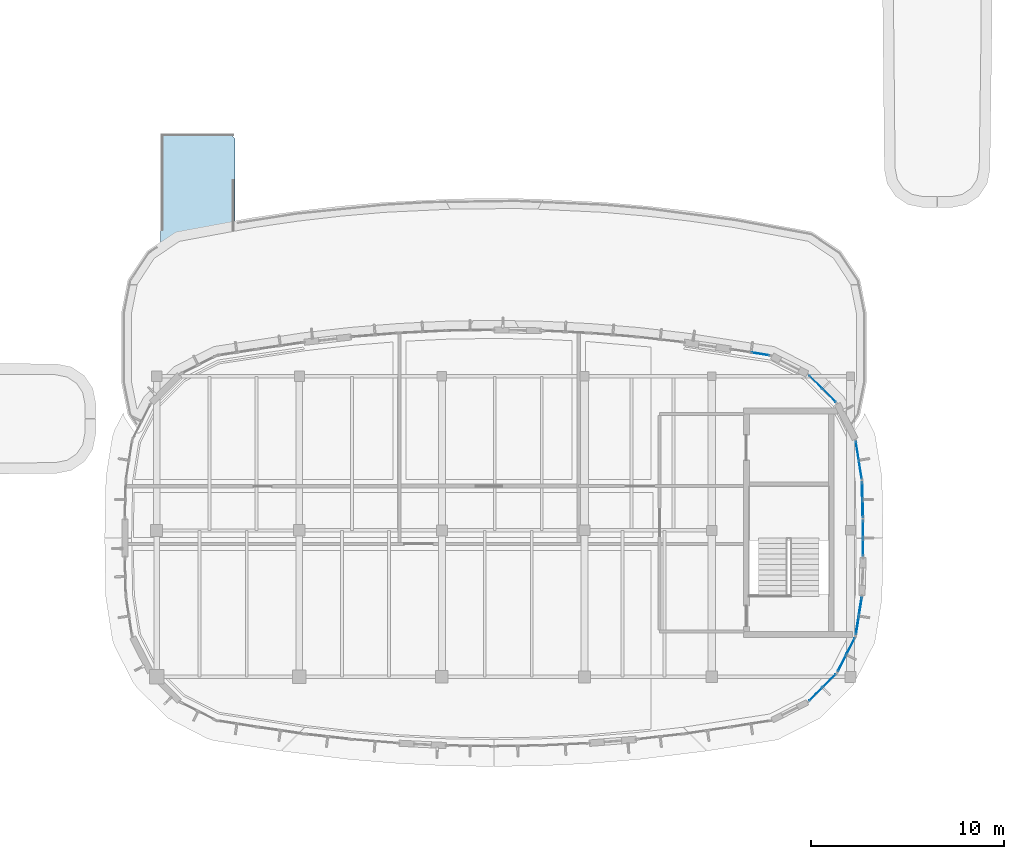
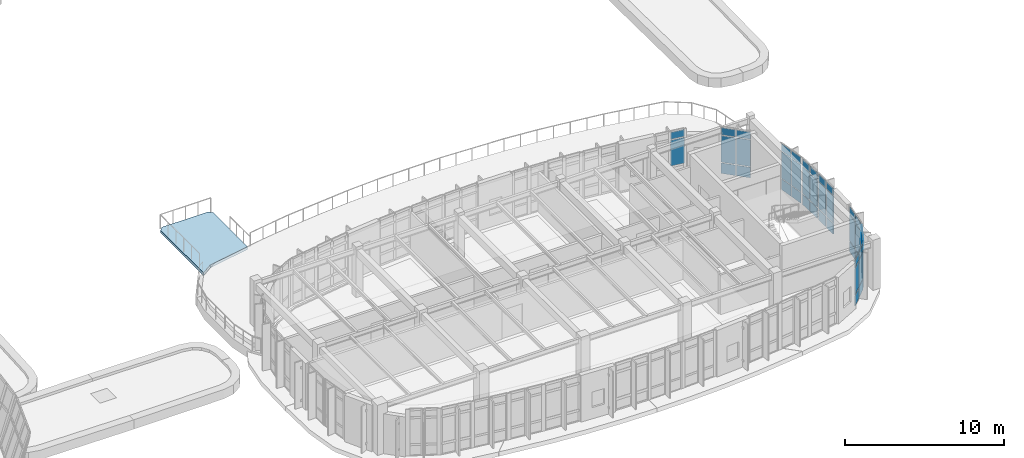
# One storey, part 69 of 111: 44 plates, 1 slab, 8 elements without a shape of their own.
"""IFC4 building model written with IfcOpenShell, lengths in metres."""

from ifc_helpers import new_model, si_unit, direction, frame, origin, origin_2d, place, context, subcontext, project, spatial, polyline, rectangle, outline, extrude, material, layer, layer_set, type_object, element, aggregate, save


model = new_model("IFC4")

# Units and contexts
model_context = context("Model", 3, precision=1e-05, world=origin(), true_north=direction((0.0, 1.0)))
body_context = subcontext(model_context, "Body", "Model", "MODEL_VIEW")
ifc_project = project(units=[si_unit("LENGTHUNIT", "METRE"), si_unit("AREAUNIT", "SQUARE_METRE"), si_unit("VOLUMEUNIT", "CUBIC_METRE"), si_unit("PLANEANGLEUNIT", "RADIAN"), si_unit("MASSUNIT", "GRAM", prefix="KILO")], contexts=[model_context])

# Site, building, storey
site_placement = place(None, origin())
site = spatial("IfcSite", under=ifc_project, at=site_placement, CompositionType="ELEMENT")
building_placement = place(site_placement, origin())
building = spatial("IfcBuilding", under=site, at=building_placement, Name="Corveleigh Park Community Centre", CompositionType="ELEMENT")
storey_placement = place(building_placement, frame((0.0, 0.0, 4.800048828125)))
storey = spatial("IfcBuildingStorey", under=building, at=storey_placement, Name="L01", CompositionType="ELEMENT", Elevation=4.800048828125)

# Curtain wall, plates
ifc_material_1 = material(Name="Anodised aluminium 6063-T6", Category="aluminium")
curtain_wall_type = type_object("IfcCurtainWallType", Name="CW-SYS-V3-UPP", PredefinedType="NOTDEFINED", material=ifc_material_1)
curtain_wall_1_placement = place(storey_placement, origin())
curtain_wall_1 = element("IfcCurtainWall", 1, at=curtain_wall_1_placement, inside=storey, type_object=curtain_wall_type, Name="V3 L01 Curtain Wall 241", PredefinedType="NOTDEFINED")
ifc_material_2 = material(Name="Low-E double glazing", Category="glass")
ifc_layer_1 = layer(ifc_material_2, 0.02392578125, Name="Low-E double glazing", Category="glass")
ifc_layer_set_1 = layer_set([ifc_layer_1], Name="Low-E double glazing")
plate_type_1 = type_object("IfcPlateType", Name="CWP-GLZ-24", PredefinedType="CURTAIN_PANEL", material=ifc_layer_set_1)
plate_1_placement = place(storey_placement, frame((108.3564453125, 22.937255859375, 0.059814453125), z_axis=(0.0, 0.0, 1.0), x_axis=(0.156558061275, -0.987668756947, 0.0)))
plate_1 = element("IfcPlate", 2, at=plate_1_placement, type_object=plate_type_1, Name="CW06 panel 1.1", PredefinedType="CURTAIN_PANEL", context=body_context, shape_type="SweptSolid", body=[
    extrude(rectangle(XDim=0.94482421875, YDim=0.02392578125, at=origin_2d()), origin(), (0.0, 0.0, 1.0), 0.81005859375),
])
plate_2_placement = place(storey_placement, frame((108.3564453125, 22.937255859375, 0.9296875), z_axis=(0.0, 0.0, 1.0), x_axis=(0.156558061275, -0.987668756947, 0.0)))
plate_2 = element("IfcPlate", 3, at=plate_2_placement, type_object=plate_type_1, Name="CW06 panel 1.2", PredefinedType="CURTAIN_PANEL", context=body_context, shape_type="SweptSolid", body=[
    extrude(rectangle(XDim=0.94482421875, YDim=0.02392578125, at=origin_2d()), origin(), (0.0, 0.0, 1.0), 2.047119140625),
])
plate_3_placement = place(storey_placement, frame((108.3564453125, 22.937255859375, 3.036865234375), z_axis=(0.0, 0.0, 1.0), x_axis=(0.156558061275, -0.987668756947, 0.0)))
plate_3 = element("IfcPlate", 4, at=plate_3_placement, type_object=plate_type_1, Name="CW06 panel 1.3", PredefinedType="CURTAIN_PANEL", context=body_context, shape_type="SweptSolid", body=[
    extrude(rectangle(XDim=0.94482421875, YDim=0.02392578125, at=origin_2d()), origin(), (0.0, 0.0, 1.0), 0.56005859375),
])
plate_4_placement = place(storey_placement, frame((108.513671875, 21.94482421875, 0.059814453125), z_axis=(0.0, 0.0, 1.0), x_axis=(0.156558061275, -0.987668756947, 0.0)))
plate_4 = element("IfcPlate", 5, at=plate_4_placement, type_object=plate_type_1, Name="CW06 panel 2.1", PredefinedType="CURTAIN_PANEL", context=body_context, shape_type="SweptSolid", body=[
    extrude(rectangle(XDim=0.94482421875, YDim=0.02392578125, at=origin_2d()), origin(), (0.0, 0.0, 1.0), 0.81005859375),
])
plate_5_placement = place(storey_placement, frame((108.513671875, 21.94482421875, 0.9296875), z_axis=(0.0, 0.0, 1.0), x_axis=(0.156558061275, -0.987668756947, 0.0)))
plate_5 = element("IfcPlate", 6, at=plate_5_placement, type_object=plate_type_1, Name="CW06 panel 2.2", PredefinedType="CURTAIN_PANEL", context=body_context, shape_type="SweptSolid", body=[
    extrude(rectangle(XDim=0.94482421875, YDim=0.02392578125, at=origin_2d()), origin(), (0.0, 0.0, 1.0), 2.047119140625),
])
plate_6_placement = place(storey_placement, frame((108.513671875, 21.94482421875, 3.036865234375), z_axis=(0.0, 0.0, 1.0), x_axis=(0.156558061275, -0.987668756947, 0.0)))
plate_6 = element("IfcPlate", 7, at=plate_6_placement, type_object=plate_type_1, Name="CW06 panel 2.3", PredefinedType="CURTAIN_PANEL", context=body_context, shape_type="SweptSolid", body=[
    extrude(rectangle(XDim=0.94482421875, YDim=0.02392578125, at=origin_2d()), origin(), (0.0, 0.0, 1.0), 0.56005859375),
])
aggregate(curtain_wall_1, [plate_1, plate_2, plate_3, plate_4, plate_5, plate_6])

curtain_wall_2_placement = place(storey_placement, origin())
curtain_wall_2 = element("IfcCurtainWall", 8, at=curtain_wall_2_placement, inside=storey, type_object=curtain_wall_type, Name="V3 L01 Curtain Wall 242", PredefinedType="NOTDEFINED")
plate_7_placement = place(storey_placement, frame((106.197998046875, 26.5, 0.06494140625), z_axis=(0.0, 0.0, 1.0), x_axis=(0.707106781187, -0.707106781187, 0.0)))
plate_7 = element("IfcPlate", 9, at=plate_7_placement, type_object=plate_type_1, Name="CW06 panel 1.1", PredefinedType="CURTAIN_PANEL", context=body_context, shape_type="SweptSolid", body=[
    extrude(rectangle(XDim=0.927734375, YDim=0.02392578125, at=origin_2d()), origin(), (0.0, 0.0, 1.0), 0.802490234375),
])
plate_8_placement = place(storey_placement, frame((106.197998046875, 26.5, 0.932373046875), z_axis=(0.0, 0.0, 1.0), x_axis=(0.707106781187, -0.707106781187, 0.0)))
plate_8 = element("IfcPlate", 10, at=plate_8_placement, type_object=plate_type_1, Name="CW06 panel 1.2", PredefinedType="CURTAIN_PANEL", context=body_context, shape_type="SweptSolid", body=[
    extrude(rectangle(XDim=0.927734375, YDim=0.02392578125, at=origin_2d()), origin(), (0.0, 0.0, 1.0), 2.0419921875),
])
plate_9_placement = place(storey_placement, frame((106.197998046875, 26.5, 3.03955078125), z_axis=(0.0, 0.0, 1.0), x_axis=(0.707106781187, -0.707106781187, 0.0)))
plate_9 = element("IfcPlate", 11, at=plate_9_placement, type_object=plate_type_1, Name="CW06 panel 1.3", PredefinedType="CURTAIN_PANEL", context=body_context, shape_type="SweptSolid", body=[
    extrude(rectangle(XDim=0.927734375, YDim=0.02392578125, at=origin_2d()), origin(), (0.0, 0.0, 1.0), 0.552490234375),
])
plate_10_placement = place(storey_placement, frame((106.89990234375, 25.798095703125, 0.06494140625), z_axis=(0.0, 0.0, 1.0), x_axis=(0.707106781187, -0.707106781187, 0.0)))
plate_10 = element("IfcPlate", 12, at=plate_10_placement, type_object=plate_type_1, Name="CW06 panel 2.1", PredefinedType="CURTAIN_PANEL", context=body_context, shape_type="SweptSolid", body=[
    extrude(rectangle(XDim=0.927734375, YDim=0.02392578125, at=origin_2d()), origin(), (0.0, 0.0, 1.0), 0.802490234375),
])
plate_11_placement = place(storey_placement, frame((106.89990234375, 25.798095703125, 0.932373046875), z_axis=(0.0, 0.0, 1.0), x_axis=(0.707106781187, -0.707106781187, 0.0)))
plate_11 = element("IfcPlate", 13, at=plate_11_placement, type_object=plate_type_1, Name="CW06 panel 2.2", PredefinedType="CURTAIN_PANEL", context=body_context, shape_type="SweptSolid", body=[
    extrude(rectangle(XDim=0.927734375, YDim=0.02392578125, at=origin_2d()), origin(), (0.0, 0.0, 1.0), 2.0419921875),
])
plate_12_placement = place(storey_placement, frame((106.89990234375, 25.798095703125, 3.03955078125), z_axis=(0.0, 0.0, 1.0), x_axis=(0.707106781187, -0.707106781187, 0.0)))
plate_12 = element("IfcPlate", 14, at=plate_12_placement, type_object=plate_type_1, Name="CW06 panel 2.3", PredefinedType="CURTAIN_PANEL", context=body_context, shape_type="SweptSolid", body=[
    extrude(rectangle(XDim=0.927734375, YDim=0.02392578125, at=origin_2d()), origin(), (0.0, 0.0, 1.0), 0.552490234375),
])
aggregate(curtain_wall_2, [plate_7, plate_8, plate_9, plate_10, plate_11, plate_12])

curtain_wall_3_placement = place(storey_placement, origin())
curtain_wall_3 = element("IfcCurtainWall", 15, at=curtain_wall_3_placement, inside=storey, type_object=curtain_wall_type, Name="V3 L01 Curtain Wall 243", PredefinedType="NOTDEFINED")
ifc_layer_2 = layer(ifc_material_2, 0.028076171875, Name="Low-E double glazing", Category="glass")
ifc_layer_set_2 = layer_set([ifc_layer_2], Name="Low-E double glazing")
plate_type_2 = type_object("IfcPlateType", Name="CWP-GLZ-28", PredefinedType="CURTAIN_PANEL", material=ifc_layer_set_2)
plate_13_placement = place(storey_placement, frame((103.331787109375, 27.957275390625, 0.93505859375), z_axis=(0.0, 0.0, 1.0), x_axis=(0.987661487783, -0.156603912946, 0.0)))
plate_13 = element("IfcPlate", 16, at=plate_13_placement, type_object=plate_type_2, Name="CW06 panel 2.2", PredefinedType="CURTAIN_PANEL", context=body_context, shape_type="SweptSolid", body=[
    extrude(rectangle(XDim=0.935791015625, YDim=0.028076171875, at=origin_2d()), origin(), (0.0, 0.0, 1.0), 1.991943359375),
])
plate_14_placement = place(storey_placement, frame((103.331787109375, 27.957275390625, 2.9970703125), z_axis=(0.0, 0.0, 1.0), x_axis=(0.987661487783, -0.156603912946, 0.0)))
plate_14 = element("IfcPlate", 17, at=plate_14_placement, type_object=plate_type_2, Name="CW06 panel 2.3", PredefinedType="CURTAIN_PANEL", context=body_context, shape_type="SweptSolid", body=[
    extrude(rectangle(XDim=0.935791015625, YDim=0.028076171875, at=origin_2d()), origin(), (0.0, 0.0, 1.0), 0.544921875),
])
aggregate(curtain_wall_3, [plate_13, plate_14])

curtain_wall_4_placement = place(storey_placement, origin())
curtain_wall_4 = element("IfcCurtainWall", 18, at=curtain_wall_4_placement, inside=storey, type_object=curtain_wall_type, Name="V3 L01 Curtain Wall 236", PredefinedType="NOTDEFINED")
ifc_layer_3 = layer(ifc_material_2, 0.035888671875, Name="Low-E double glazing", Category="glass")
ifc_layer_set_3 = layer_set([ifc_layer_3], Name="Low-E double glazing")
plate_type_3 = type_object("IfcPlateType", Name="CWP-GLZ-36", PredefinedType="CURTAIN_PANEL", material=ifc_layer_set_3)
plate_15_placement = place(storey_placement, frame((106.89990234375, 11.001953125, 0.059814453125), z_axis=(0.0, 0.0, 1.0), x_axis=(-0.707106781187, -0.707106781187, 0.0)))
plate_15 = element("IfcPlate", 19, at=plate_15_placement, type_object=plate_type_3, Name="CW06 panel 1.1", PredefinedType="CURTAIN_PANEL", context=body_context, shape_type="SweptSolid", body=[
    extrude(rectangle(XDim=0.927734375, YDim=0.035888671875, at=origin_2d()), origin(), (0.0, 0.0, 1.0), 0.81005859375),
])
plate_16_placement = place(storey_placement, frame((106.89990234375, 11.001953125, 0.93017578125), z_axis=(0.0, 0.0, 1.0), x_axis=(-0.707106781187, -0.707106781187, 0.0)))
plate_16 = element("IfcPlate", 20, at=plate_16_placement, type_object=plate_type_3, Name="CW06 panel 1.2", PredefinedType="CURTAIN_PANEL", context=body_context, shape_type="SweptSolid", body=[
    extrude(rectangle(XDim=0.927734375, YDim=0.035888671875, at=origin_2d()), origin(), (0.0, 0.0, 1.0), 2.010009765625),
])
plate_17_placement = place(storey_placement, frame((106.89990234375, 11.001953125, 3.0), z_axis=(0.0, 0.0, 1.0), x_axis=(-0.707106781187, -0.707106781187, 0.0)))
plate_17 = element("IfcPlate", 21, at=plate_17_placement, type_object=plate_type_3, Name="CW06 panel 1.3", PredefinedType="CURTAIN_PANEL", context=body_context, shape_type="SweptSolid", body=[
    extrude(rectangle(XDim=0.927734375, YDim=0.035888671875, at=origin_2d()), origin(), (0.0, 0.0, 1.0), 0.56005859375),
])
plate_18_placement = place(storey_placement, frame((106.197998046875, 10.300048828125, 0.059814453125), z_axis=(0.0, 0.0, 1.0), x_axis=(-0.707106781187, -0.707106781187, 0.0)))
plate_18 = element("IfcPlate", 22, at=plate_18_placement, type_object=plate_type_3, Name="CW06 panel 2.1", PredefinedType="CURTAIN_PANEL", context=body_context, shape_type="SweptSolid", body=[
    extrude(rectangle(XDim=0.927734375, YDim=0.035888671875, at=origin_2d()), origin(), (0.0, 0.0, 1.0), 0.81005859375),
])
plate_19_placement = place(storey_placement, frame((106.197998046875, 10.300048828125, 0.93017578125), z_axis=(0.0, 0.0, 1.0), x_axis=(-0.707106781187, -0.707106781187, 0.0)))
plate_19 = element("IfcPlate", 23, at=plate_19_placement, type_object=plate_type_3, Name="CW06 panel 2.2", PredefinedType="CURTAIN_PANEL", context=body_context, shape_type="SweptSolid", body=[
    extrude(rectangle(XDim=0.927734375, YDim=0.035888671875, at=origin_2d()), origin(), (0.0, 0.0, 1.0), 2.010009765625),
])
plate_20_placement = place(storey_placement, frame((106.197998046875, 10.300048828125, 3.0), z_axis=(0.0, 0.0, 1.0), x_axis=(-0.707106781187, -0.707106781187, 0.0)))
plate_20 = element("IfcPlate", 24, at=plate_20_placement, type_object=plate_type_3, Name="CW06 panel 2.3", PredefinedType="CURTAIN_PANEL", context=body_context, shape_type="SweptSolid", body=[
    extrude(rectangle(XDim=0.927734375, YDim=0.035888671875, at=origin_2d()), origin(), (0.0, 0.0, 1.0), 0.56005859375),
])
aggregate(curtain_wall_4, [plate_15, plate_16, plate_17, plate_18, plate_19, plate_20])

curtain_wall_5_placement = place(storey_placement, origin())
curtain_wall_5 = element("IfcCurtainWall", 25, at=curtain_wall_5_placement, inside=storey, type_object=curtain_wall_type, Name="V3 L01 Curtain Wall 237", PredefinedType="NOTDEFINED")
ifc_layer_4 = layer(ifc_material_2, 0.0400390625, Name="Low-E double glazing", Category="glass")
ifc_layer_set_4 = layer_set([ifc_layer_4], Name="Low-E double glazing")
plate_type_4 = type_object("IfcPlateType", Name="CWP-GLZ-40", PredefinedType="CURTAIN_PANEL", material=ifc_layer_set_4)
plate_21_placement = place(storey_placement, frame((108.009033203125, 12.79248046875, 0.06494140625), z_axis=(0.0, 0.0, 1.0), x_axis=(-0.454217786228, -0.890890679418, 0.0)))
plate_21 = element("IfcPlate", 26, at=plate_21_placement, type_object=plate_type_4, Name="CW06 panel 1.1", PredefinedType="CURTAIN_PANEL", context=body_context, shape_type="SweptSolid", body=[
    extrude(rectangle(XDim=0.9208984375, YDim=0.0400390625, at=origin_2d()), origin(), (0.0, 0.0, 1.0), 0.802490234375),
])
plate_22_placement = place(storey_placement, frame((108.009033203125, 12.79248046875, 0.9326171875), z_axis=(0.0, 0.0, 1.0), x_axis=(-0.454217786228, -0.890890679418, 0.0)))
plate_22 = element("IfcPlate", 27, at=plate_22_placement, type_object=plate_type_4, Name="CW06 panel 1.2", PredefinedType="CURTAIN_PANEL", context=body_context, shape_type="SweptSolid", body=[
    extrude(rectangle(XDim=0.9208984375, YDim=0.0400390625, at=origin_2d()), origin(), (0.0, 0.0, 1.0), 2.0048828125),
])
plate_23_placement = place(storey_placement, frame((108.009033203125, 12.79248046875, 3.00244140625), z_axis=(0.0, 0.0, 1.0), x_axis=(-0.454217786228, -0.890890679418, 0.0)))
plate_23 = element("IfcPlate", 28, at=plate_23_placement, type_object=plate_type_4, Name="CW06 panel 1.3", PredefinedType="CURTAIN_PANEL", context=body_context, shape_type="SweptSolid", body=[
    extrude(rectangle(XDim=0.9208984375, YDim=0.0400390625, at=origin_2d()), origin(), (0.0, 0.0, 1.0), 0.552490234375),
])
plate_24_placement = place(storey_placement, frame((107.558837890625, 11.90966796875, 0.06494140625), z_axis=(0.0, 0.0, 1.0), x_axis=(-0.454217786228, -0.890890679418, 0.0)))
plate_24 = element("IfcPlate", 29, at=plate_24_placement, type_object=plate_type_4, Name="CW06 panel 2.1", PredefinedType="CURTAIN_PANEL", context=body_context, shape_type="SweptSolid", body=[
    extrude(rectangle(XDim=0.9208984375, YDim=0.0400390625, at=origin_2d()), origin(), (0.0, 0.0, 1.0), 0.802490234375),
])
plate_25_placement = place(storey_placement, frame((107.558837890625, 11.90966796875, 0.9326171875), z_axis=(0.0, 0.0, 1.0), x_axis=(-0.454217786228, -0.890890679418, 0.0)))
plate_25 = element("IfcPlate", 30, at=plate_25_placement, type_object=plate_type_4, Name="CW06 panel 2.2", PredefinedType="CURTAIN_PANEL", context=body_context, shape_type="SweptSolid", body=[
    extrude(rectangle(XDim=0.9208984375, YDim=0.0400390625, at=origin_2d()), origin(), (0.0, 0.0, 1.0), 2.0048828125),
])
plate_26_placement = place(storey_placement, frame((107.558837890625, 11.90966796875, 3.00244140625), z_axis=(0.0, 0.0, 1.0), x_axis=(-0.454217786228, -0.890890679418, 0.0)))
plate_26 = element("IfcPlate", 31, at=plate_26_placement, type_object=plate_type_4, Name="CW06 panel 2.3", PredefinedType="CURTAIN_PANEL", context=body_context, shape_type="SweptSolid", body=[
    extrude(rectangle(XDim=0.9208984375, YDim=0.0400390625, at=origin_2d()), origin(), (0.0, 0.0, 1.0), 0.552490234375),
])
aggregate(curtain_wall_5, [plate_21, plate_22, plate_23, plate_24, plate_25, plate_26])

curtain_wall_6_placement = place(storey_placement, origin())
curtain_wall_6 = element("IfcCurtainWall", 32, at=curtain_wall_6_placement, inside=storey, type_object=curtain_wall_type, Name="V3 L01 Curtain Wall 238", PredefinedType="NOTDEFINED")
plate_27_placement = place(storey_placement, frame((108.51318359375, 14.8515625, 0.070068359375), z_axis=(0.0, 0.0, 1.0), x_axis=(-0.156558061275, -0.987668756947, 0.0)))
plate_27 = element("IfcPlate", 33, at=plate_27_placement, type_object=plate_type_4, Name="CW06 panel 1.1", PredefinedType="CURTAIN_PANEL", context=body_context, shape_type="SweptSolid", body=[
    extrude(rectangle(XDim=0.92236328125, YDim=0.0400390625, at=origin_2d()), origin(), (0.0, 0.0, 1.0), 0.794921875),
])
plate_28_placement = place(storey_placement, frame((108.51318359375, 14.8515625, 0.93505859375), z_axis=(0.0, 0.0, 1.0), x_axis=(-0.156558061275, -0.987668756947, 0.0)))
plate_28 = element("IfcPlate", 34, at=plate_28_placement, type_object=plate_type_4, Name="CW06 panel 1.2", PredefinedType="CURTAIN_PANEL", context=body_context, shape_type="SweptSolid", body=[
    extrude(rectangle(XDim=0.92236328125, YDim=0.0400390625, at=origin_2d()), origin(), (0.0, 0.0, 1.0), 2.0),
])
plate_29_placement = place(storey_placement, frame((108.51318359375, 14.8515625, 3.0048828125), z_axis=(0.0, 0.0, 1.0), x_axis=(-0.156558061275, -0.987668756947, 0.0)))
plate_29 = element("IfcPlate", 35, at=plate_29_placement, type_object=plate_type_4, Name="CW06 panel 1.3", PredefinedType="CURTAIN_PANEL", context=body_context, shape_type="SweptSolid", body=[
    extrude(rectangle(XDim=0.92236328125, YDim=0.0400390625, at=origin_2d()), origin(), (0.0, 0.0, 1.0), 0.544921875),
])
plate_30_placement = place(storey_placement, frame((108.35693359375, 13.866455078125, 0.070068359375), z_axis=(0.0, 0.0, 1.0), x_axis=(-0.156558061275, -0.987668756947, 0.0)))
plate_30 = element("IfcPlate", 36, at=plate_30_placement, type_object=plate_type_4, Name="CW06 panel 2.1", PredefinedType="CURTAIN_PANEL", context=body_context, shape_type="SweptSolid", body=[
    extrude(rectangle(XDim=0.92236328125, YDim=0.0400390625, at=origin_2d()), origin(), (0.0, 0.0, 1.0), 0.794921875),
])
plate_31_placement = place(storey_placement, frame((108.35693359375, 13.866455078125, 0.93505859375), z_axis=(0.0, 0.0, 1.0), x_axis=(-0.156558061275, -0.987668756947, 0.0)))
plate_31 = element("IfcPlate", 37, at=plate_31_placement, type_object=plate_type_4, Name="CW06 panel 2.2", PredefinedType="CURTAIN_PANEL", context=body_context, shape_type="SweptSolid", body=[
    extrude(rectangle(XDim=0.92236328125, YDim=0.0400390625, at=origin_2d()), origin(), (0.0, 0.0, 1.0), 2.0),
])
plate_32_placement = place(storey_placement, frame((108.35693359375, 13.866455078125, 3.0048828125), z_axis=(0.0, 0.0, 1.0), x_axis=(-0.156558061275, -0.987668756947, 0.0)))
plate_32 = element("IfcPlate", 38, at=plate_32_placement, type_object=plate_type_4, Name="CW06 panel 2.3", PredefinedType="CURTAIN_PANEL", context=body_context, shape_type="SweptSolid", body=[
    extrude(rectangle(XDim=0.92236328125, YDim=0.0400390625, at=origin_2d()), origin(), (0.0, 0.0, 1.0), 0.544921875),
])
aggregate(curtain_wall_6, [plate_27, plate_28, plate_29, plate_30, plate_31, plate_32])

curtain_wall_7_placement = place(storey_placement, origin())
curtain_wall_7 = element("IfcCurtainWall", 39, at=curtain_wall_7_placement, inside=storey, type_object=curtain_wall_type, Name="V3 L01 Curtain Wall 239", PredefinedType="NOTDEFINED")
ifc_layer_5 = layer(ifc_material_2, 0.0439453125, Name="Low-E double glazing", Category="glass")
ifc_layer_set_5 = layer_set([ifc_layer_5], Name="Low-E double glazing")
plate_type_5 = type_object("IfcPlateType", Name="CWP-GLZ-44", PredefinedType="CURTAIN_PANEL", material=ifc_layer_set_5)
plate_33_placement = place(storey_placement, frame((108.652099609375, 18.87548828125, 0.074951171875), z_axis=(0.0, 0.0, 1.0), x_axis=(0.0, -1.0, 0.0)))
plate_33 = element("IfcPlate", 40, at=plate_33_placement, type_object=plate_type_5, Name="CW06 panel 1.1", PredefinedType="CURTAIN_PANEL", context=body_context, shape_type="SweptSolid", body=[
    extrude(rectangle(XDim=0.87109375, YDim=0.0439453125, at=origin_2d()), origin(), (0.0, 0.0, 1.0), 0.78759765625),
])
plate_34_placement = place(storey_placement, frame((108.652099609375, 18.87548828125, 0.9375), z_axis=(0.0, 0.0, 1.0), x_axis=(0.0, -1.0, 0.0)))
plate_34 = element("IfcPlate", 41, at=plate_34_placement, type_object=plate_type_5, Name="CW06 panel 1.2", PredefinedType="CURTAIN_PANEL", context=body_context, shape_type="SweptSolid", body=[
    extrude(rectangle(XDim=0.87109375, YDim=0.0439453125, at=origin_2d()), origin(), (0.0, 0.0, 1.0), 2.031982421875),
])
plate_35_placement = place(storey_placement, frame((108.652099609375, 18.87548828125, 3.04443359375), z_axis=(0.0, 0.0, 1.0), x_axis=(0.0, -1.0, 0.0)))
plate_35 = element("IfcPlate", 42, at=plate_35_placement, type_object=plate_type_5, Name="CW06 panel 1.3", PredefinedType="CURTAIN_PANEL", context=body_context, shape_type="SweptSolid", body=[
    extrude(rectangle(XDim=0.87109375, YDim=0.0439453125, at=origin_2d()), origin(), (0.0, 0.0, 1.0), 0.53759765625),
])
plate_36_placement = place(storey_placement, frame((108.652099609375, 17.924560546875, 0.074951171875), z_axis=(0.0, 0.0, 1.0), x_axis=(0.0, -1.0, 0.0)))
plate_36 = element("IfcPlate", 43, at=plate_36_placement, type_object=plate_type_5, Name="CW06 panel 2.1", PredefinedType="CURTAIN_PANEL", context=body_context, shape_type="SweptSolid", body=[
    extrude(rectangle(XDim=0.87109375, YDim=0.0439453125, at=origin_2d()), origin(), (0.0, 0.0, 1.0), 0.78759765625),
])
plate_37_placement = place(storey_placement, frame((108.652099609375, 17.924560546875, 0.9375), z_axis=(0.0, 0.0, 1.0), x_axis=(0.0, -1.0, 0.0)))
plate_37 = element("IfcPlate", 44, at=plate_37_placement, type_object=plate_type_5, Name="CW06 panel 2.2", PredefinedType="CURTAIN_PANEL", context=body_context, shape_type="SweptSolid", body=[
    extrude(rectangle(XDim=0.87109375, YDim=0.0439453125, at=origin_2d()), origin(), (0.0, 0.0, 1.0), 2.031982421875),
])
plate_38_placement = place(storey_placement, frame((108.652099609375, 17.924560546875, 3.04443359375), z_axis=(0.0, 0.0, 1.0), x_axis=(0.0, -1.0, 0.0)))
plate_38 = element("IfcPlate", 45, at=plate_38_placement, type_object=plate_type_5, Name="CW06 panel 2.3", PredefinedType="CURTAIN_PANEL", context=body_context, shape_type="SweptSolid", body=[
    extrude(rectangle(XDim=0.87109375, YDim=0.0439453125, at=origin_2d()), origin(), (0.0, 0.0, 1.0), 0.53759765625),
])
aggregate(curtain_wall_7, [plate_33, plate_34, plate_35, plate_36, plate_37, plate_38])

curtain_wall_8_placement = place(storey_placement, origin())
curtain_wall_8 = element("IfcCurtainWall", 46, at=curtain_wall_8_placement, inside=storey, type_object=curtain_wall_type, Name="V3 L01 Curtain Wall 240", PredefinedType="NOTDEFINED")
plate_39_placement = place(storey_placement, frame((108.613525390625, 20.86669921875, 0.080078125), z_axis=(0.0, 0.0, 1.0), x_axis=(0.026360005464, -0.999652514683, 0.0)))
plate_39 = element("IfcPlate", 47, at=plate_39_placement, type_object=plate_type_5, Name="CW06 panel 1.1", PredefinedType="CURTAIN_PANEL", context=body_context, shape_type="SweptSolid", body=[
    extrude(rectangle(XDim=0.85888671875, YDim=0.0439453125, at=origin_2d()), origin(), (0.0, 0.0, 1.0), 0.780029296875),
])
plate_40_placement = place(storey_placement, frame((108.613525390625, 20.86669921875, 0.93994140625), z_axis=(0.0, 0.0, 1.0), x_axis=(0.026360005464, -0.999652514683, 0.0)))
plate_40 = element("IfcPlate", 48, at=plate_40_placement, type_object=plate_type_5, Name="CW06 panel 1.2", PredefinedType="CURTAIN_PANEL", context=body_context, shape_type="SweptSolid", body=[
    extrude(rectangle(XDim=0.85888671875, YDim=0.0439453125, at=origin_2d()), origin(), (0.0, 0.0, 1.0), 2.027099609375),
])
plate_41_placement = place(storey_placement, frame((108.613525390625, 20.86669921875, 3.046875), z_axis=(0.0, 0.0, 1.0), x_axis=(0.026360005464, -0.999652514683, 0.0)))
plate_41 = element("IfcPlate", 49, at=plate_41_placement, type_object=plate_type_5, Name="CW06 panel 1.3", PredefinedType="CURTAIN_PANEL", context=body_context, shape_type="SweptSolid", body=[
    extrude(rectangle(XDim=0.85888671875, YDim=0.0439453125, at=origin_2d()), origin(), (0.0, 0.0, 1.0), 0.530029296875),
])
plate_42_placement = place(storey_placement, frame((108.638427734375, 19.92333984375, 0.080078125), z_axis=(0.0, 0.0, 1.0), x_axis=(0.026360005464, -0.999652514683, 0.0)))
plate_42 = element("IfcPlate", 50, at=plate_42_placement, type_object=plate_type_5, Name="CW06 panel 2.1", PredefinedType="CURTAIN_PANEL", context=body_context, shape_type="SweptSolid", body=[
    extrude(rectangle(XDim=0.85888671875, YDim=0.0439453125, at=origin_2d()), origin(), (0.0, 0.0, 1.0), 0.780029296875),
])
plate_43_placement = place(storey_placement, frame((108.638427734375, 19.92333984375, 0.93994140625), z_axis=(0.0, 0.0, 1.0), x_axis=(0.026360005464, -0.999652514683, 0.0)))
plate_43 = element("IfcPlate", 51, at=plate_43_placement, type_object=plate_type_5, Name="CW06 panel 2.2", PredefinedType="CURTAIN_PANEL", context=body_context, shape_type="SweptSolid", body=[
    extrude(rectangle(XDim=0.85888671875, YDim=0.0439453125, at=origin_2d()), origin(), (0.0, 0.0, 1.0), 2.027099609375),
])
plate_44_placement = place(storey_placement, frame((108.638427734375, 19.92333984375, 3.046875), z_axis=(0.0, 0.0, 1.0), x_axis=(0.026360005464, -0.999652514683, 0.0)))
plate_44 = element("IfcPlate", 52, at=plate_44_placement, type_object=plate_type_5, Name="CW06 panel 2.3", PredefinedType="CURTAIN_PANEL", context=body_context, shape_type="SweptSolid", body=[
    extrude(rectangle(XDim=0.85888671875, YDim=0.0439453125, at=origin_2d()), origin(), (0.0, 0.0, 1.0), 0.530029296875),
])
aggregate(curtain_wall_8, [plate_39, plate_40, plate_41, plate_42, plate_43, plate_44])

# Slab
ifc_material_3 = material(Name="Concrete C32/40", Category="concrete")
ifc_layer_6 = layer(ifc_material_3, 0.2041015625, Name="Concrete C32/40", Category="concrete")
ifc_layer_set_6 = layer_set([ifc_layer_6], Name="Concrete C32/40")
slab_type = type_object("IfcSlabType", Name="SLB-LND-204", PredefinedType="LANDING", material=ifc_layer_set_6)
slab_placement = place(storey_placement, frame((0.0, 0.0, -0.2041015625)))
element("IfcSlab", 53, at=slab_placement, inside=storey, type_object=slab_type, Name="Courtyard Promenade Terrace Arrival Landing", PredefinedType="LANDING", context=body_context, shape_type="SweptSolid", body=[
    extrude(outline(polyline([(72.199951171875, 39.14990234375), (72.449951171875, 39.39990234375), (75.800048828125, 39.39990234375), (76.050048828125, 39.14990234375), (76.050048828125, 34.8330078125), (72.9970703125, 34.26708984375), (72.199951171875, 33.73388671875), (72.199951171875, 39.14990234375)])), origin(), (0.0, 0.0, 1.0), 0.2041015625),
])

save(model, "model.ifc")
